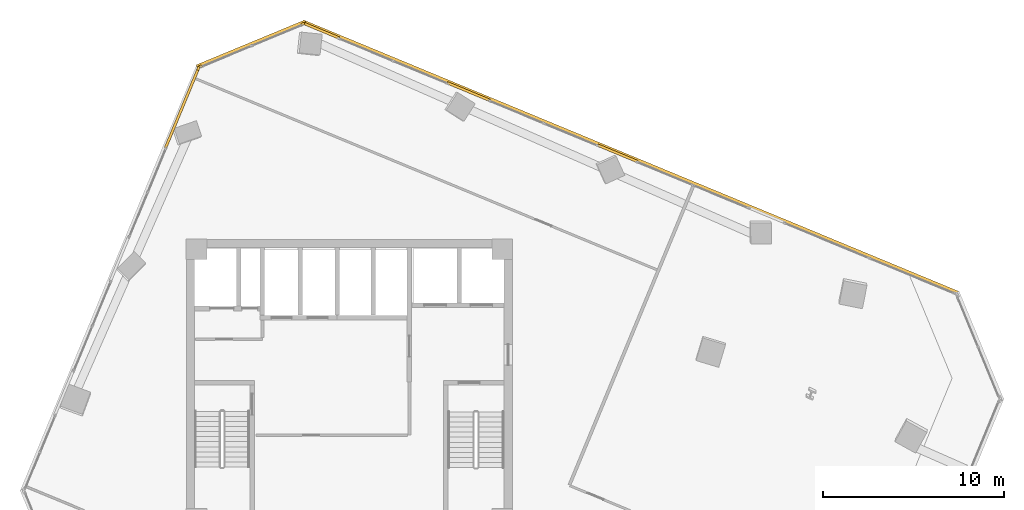
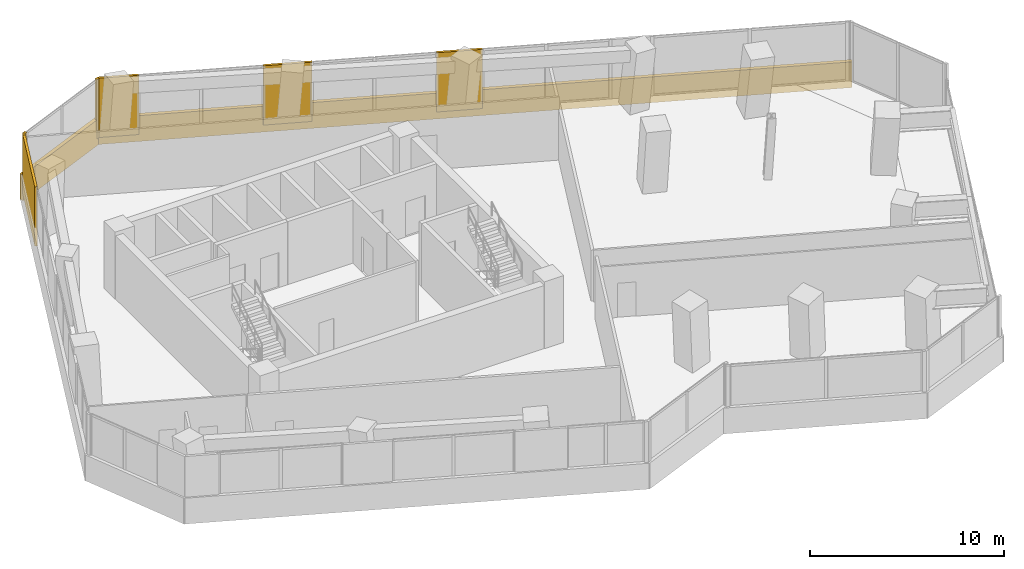
# One storey, part 23 of 23: 9 coverings.
"""IFC4 building model written with IfcOpenShell, lengths in metres."""

from ifc_helpers import new_model, si_unit, direction, frame, origin, origin_2d, place, context, subcontext, project, spatial, rectangle, extrude, source, transform, mapped, material, layer, layer_set, type_object, element, save


model = new_model("IFC4")

# Units and contexts
model_context = context("Model", 3, precision=1e-05, world=origin(), true_north=direction((0.0, 1.0)))
body_context = subcontext(model_context, "Body", "Model", "MODEL_VIEW")
ifc_project = project(units=[si_unit("LENGTHUNIT", "METRE"), si_unit("AREAUNIT", "SQUARE_METRE"), si_unit("VOLUMEUNIT", "CUBIC_METRE"), si_unit("PLANEANGLEUNIT", "RADIAN"), si_unit("MASSUNIT", "GRAM", prefix="KILO")], contexts=[model_context])

# Site, building, storey
site_placement = place(None, origin())
site = spatial("IfcSite", under=ifc_project, at=site_placement, CompositionType="ELEMENT")
building_placement = place(site_placement, origin())
building = spatial("IfcBuilding", under=site, at=building_placement, Name="Torre Montelarca", CompositionType="ELEMENT")
storey_placement = place(building_placement, frame((0.0, 0.0, 145.60009765625)))
storey = spatial("IfcBuildingStorey", under=building, at=storey_placement, Name="L32", CompositionType="ELEMENT", Elevation=145.60009765625)

# Coverings
ifc_material = material(Name="Bush-hammered warm white precast concrete C45/55", Category="concrete")
ifc_layer = layer(ifc_material, 0.139892578125, Name="Bush-hammered warm white precast concrete C45/55", Category="concrete")
ifc_layer_set = layer_set([ifc_layer], Name="Bush-hammered warm white precast concrete C45/55")
covering_type = type_object("IfcCoveringType", Name="COV-TRAY-CLAD", PredefinedType="CLADDING", material=ifc_layer_set)
shared_shape_1 = source(origin(), body_context, "Body", "SweptSolid", [
    extrude(rectangle(XDim=6.48388671875, YDim=0.219970703125, at=origin_2d()), origin(), (0.0, 0.0, 1.0), 1.6201171875),
])
covering_1_placement = place(storey_placement, frame((12.575927734375, 50.77294921875, -0.4501953125), z_axis=(0.0, 0.0, 1.0), x_axis=(-0.923880200418, -0.382681819891, 0.0)))
element("IfcCovering", 1, at=covering_1_placement, inside=storey, type_object=covering_type, Name="L32 Architectural White Spandrel Tray Band TRYBOT-09", PredefinedType="CLADDING", context=body_context, shape_type="MappedRepresentation", body=[
    mapped(shared_shape_1, transform((0.0, 0.0, 0.0), scale=1.0)),
])
shared_shape_2 = source(origin(), body_context, "Body", "SweptSolid", [
    extrude(rectangle(XDim=0.199951171875, YDim=0.139892578125, at=origin_2d()), origin(), (0.0, 0.0, 1.0), 3.719970703125),
])
for number, where, z_axis, x_axis, name in (
    (2, (15.431640625, 51.890869140625, 0.0), (0.0, 0.0, 1.0), (-0.923879532511, -0.382683432365, 0.0), "L32 Architectural Column Pier Cladding E09-1"),
    (3, (9.76611328125, 49.544189453125, 0.0), (0.0, 0.0, 1.0), (-0.923879532511, -0.382683432365, 0.0), "L32 Architectural Column Pier Cladding E09-2"),
    (4, (9.66357421875, 49.44140625, 0.0), (0.0, 0.0, 1.0), (-0.382680207415, -0.923880868323, 0.0), "L32 Architectural Column Pier Cladding E10-1"),
):
    element("IfcCovering", number, at=place(storey_placement, frame(where, z_axis=z_axis, x_axis=x_axis)), inside=storey, type_object=covering_type, Name=name, PredefinedType="CLADDING", context=body_context, shape_type="MappedRepresentation", body=[
        mapped(shared_shape_2, transform((0.0, 0.0, 0.0), scale=1.0)),
    ])
shared_shape_3 = source(origin(), body_context, "Body", "SweptSolid", [
    extrude(rectangle(XDim=4.76416015625, YDim=0.139892578125, at=origin_2d()), origin(), (0.0, 0.0, 1.0), 3.719970703125),
])
covering_2_placement = place(storey_placement, frame((8.751953125, 47.24072265625, 0.0), z_axis=(0.0, 0.0, 1.0), x_axis=(-0.382680207415, -0.923880868323, 0.0)))
element("IfcCovering", 5, at=covering_2_placement, inside=storey, type_object=covering_type, Name="L32 Architectural Column Pier Cladding E10-2", PredefinedType="CLADDING", context=body_context, shape_type="MappedRepresentation", body=[
    mapped(shared_shape_3, transform((0.0, 0.0, 0.0), scale=1.0)),
])
shared_shape_4 = source(origin(), body_context, "Body", "SweptSolid", [
    extrude(rectangle(XDim=39.219970703125, YDim=0.219970703125, at=origin_2d()), origin(), (0.0, 0.0, 1.0), 1.6201171875),
])
covering_3_placement = place(storey_placement, frame((33.5546875, 44.509033203125, -0.4501953125), z_axis=(0.0, 0.0, 1.0), x_axis=(-0.923878864601, 0.382685044838, 0.0)))
element("IfcCovering", 6, at=covering_3_placement, inside=storey, type_object=covering_type, Name="L32 Architectural White Spandrel Tray Band TRYBOT-08", PredefinedType="CLADDING", context=body_context, shape_type="MappedRepresentation", body=[
    mapped(shared_shape_4, transform((0.0, 0.0, 0.0), scale=1.0)),
])
shared_shape_5 = source(origin(), body_context, "Body", "SweptSolid", [
    extrude(rectangle(XDim=2.37451171875, YDim=0.139892578125, at=origin_2d()), origin(), (0.0, 0.0, 1.0), 3.719970703125),
])
covering_4_placement = place(storey_placement, frame((32.822509765625, 44.74755859375, 0.0), z_axis=(0.0, 0.0, 1.0), x_axis=(-0.923878864601, 0.382685044838, 0.0)))
element("IfcCovering", 7, at=covering_4_placement, inside=storey, type_object=covering_type, Name="L32 Architectural Column Pier Cladding E08-3", PredefinedType="CLADDING", context=body_context, shape_type="MappedRepresentation", body=[
    mapped(shared_shape_5, transform((0.0, 0.0, 0.0), scale=1.0)),
])
shared_shape_6 = source(origin(), body_context, "Body", "SweptSolid", [
    extrude(rectangle(XDim=2.541259765625, YDim=0.139892578125, at=origin_2d()), origin(), (0.0, 0.0, 1.0), 3.719970703125),
])
covering_5_placement = place(storey_placement, frame((24.58447265625, 48.15966796875, 0.0), z_axis=(0.0, 0.0, 1.0), x_axis=(-0.923878864601, 0.382685044838, 0.0)))
element("IfcCovering", 8, at=covering_5_placement, inside=storey, type_object=covering_type, Name="L32 Architectural Column Pier Cladding E08-4", PredefinedType="CLADDING", context=body_context, shape_type="MappedRepresentation", body=[
    mapped(shared_shape_6, transform((0.0, 0.0, 0.0), scale=1.0)),
])
shared_shape_7 = source(origin(), body_context, "Body", "SweptSolid", [
    extrude(rectangle(XDim=2.12255859375, YDim=0.139892578125, at=origin_2d()), origin(), (0.0, 0.0, 1.0), 3.719970703125),
])
covering_6_placement = place(storey_placement, frame((16.465087890625, 51.52294921875, 0.0), z_axis=(0.0, 0.0, 1.0), x_axis=(-0.923878864601, 0.382685044838, 0.0)))
element("IfcCovering", 9, at=covering_6_placement, inside=storey, type_object=covering_type, Name="L32 Architectural Column Pier Cladding E08-5", PredefinedType="CLADDING", context=body_context, shape_type="MappedRepresentation", body=[
    mapped(shared_shape_7, transform((0.0, 0.0, 0.0), scale=1.0)),
])

save(model, "model.ifc")
